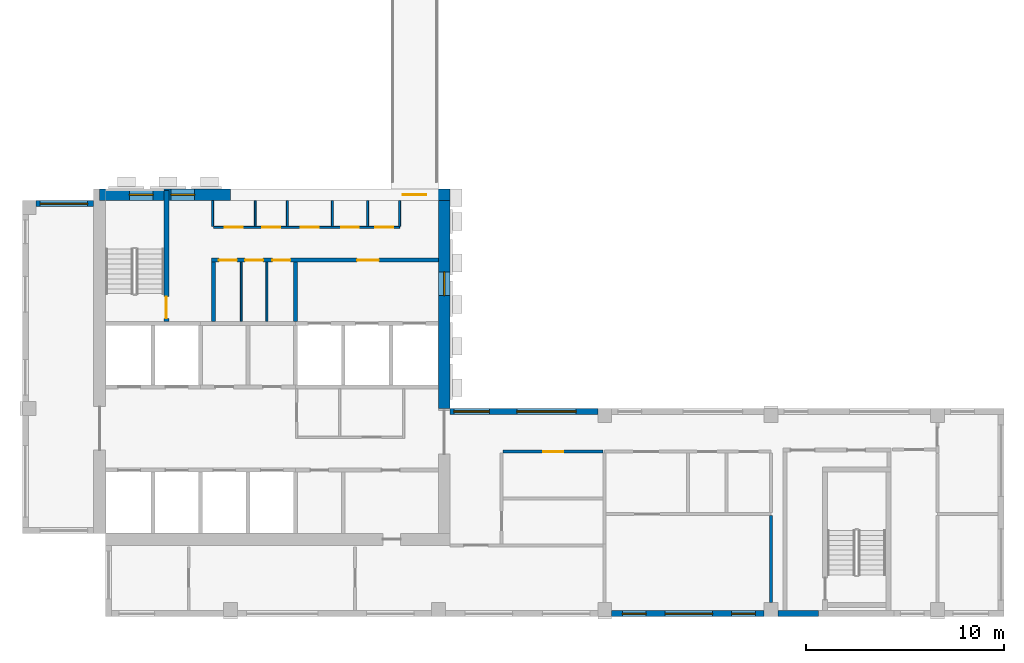
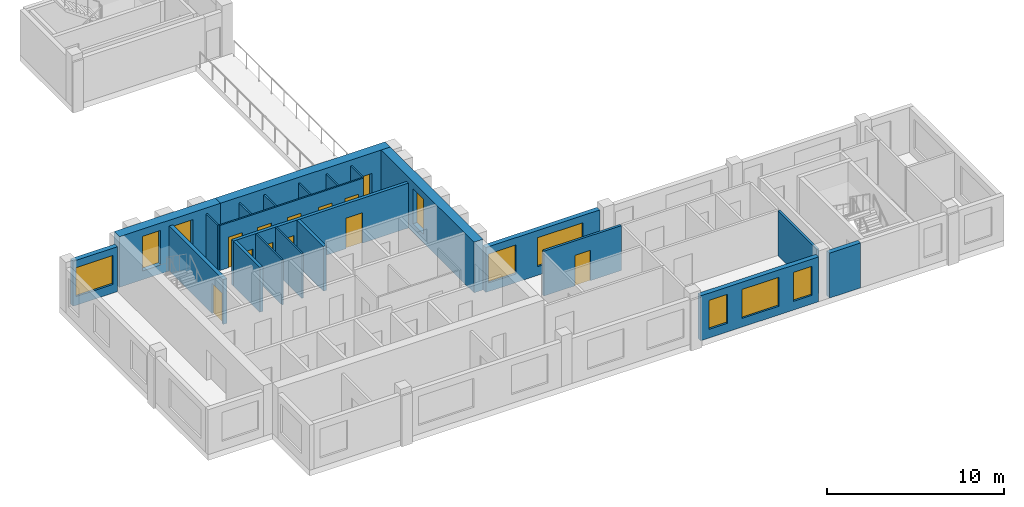
# One storey, part 3 of 9: 22 walls, 12 doors, 9 windows, 21 openings.
"""IFC4 building model written with IfcOpenShell, lengths in metres."""

import ifcopenshell
import ifcopenshell.guid

model = None  # the IFC model being written
_history = None  # IfcOwnerHistory: only IFC2X3 demands one
_inside = {}  # id of a spatial element -> (the spatial element, [elements in it])
_under = {}  # id of a project, library or spatial element -> (it, [spatial elements below it])
_declared = {}  # id of a project -> (the project, [libraries it declares])
_typed = {}  # id of a type object -> (the type object, [elements of that type])
_made_of = {}  # id of a material, layer set ... -> (it, [elements and type objects made of it])


def new_model(schema):
    """Start an empty IFC model of exactly this schema.

    Asked for "IFC4X3", IfcOpenShell would pick the latest addendum, in which some entities
    have other attributes; the version numbers below select the first issue.
    IFC2X3 requires an IfcOwnerHistory on every rooted entity: one is made here for all.
    """
    global model, _history
    if schema == "IFC4X3":
        model = ifcopenshell.file(schema_version=(4, 3, 0, 0))
    else:
        model = ifcopenshell.file(schema=schema)
    _inside.clear()
    _under.clear()
    _declared.clear()
    _typed.clear()
    _made_of.clear()
    _history = None
    if model.schema == "IFC2X3":
        org = make("IfcOrganization", Name="unknown")
        user = make(
            "IfcPersonAndOrganization",
            ThePerson=make("IfcPerson", FamilyName="unknown"),
            TheOrganization=org,
        )
        app = make(
            "IfcApplication",
            ApplicationDeveloper=org,
            Version="unknown",
            ApplicationFullName="unknown",
            ApplicationIdentifier="unknown",
        )
        _history = make(
            "IfcOwnerHistory",
            OwningUser=user,
            OwningApplication=app,
            ChangeAction="ADDED",
            CreationDate=0,
        )
    return model


def make(cls, **values):
    """One entity of the class cls with the attributes given. An attribute that is None is left unset."""
    return model.create_entity(
        cls, **{name: value for name, value in values.items() if value is not None}
    )


def rooted(cls, **values):
    """An entity with a GlobalId (a new one), such as an element, a storey or a relation."""
    return make(cls, GlobalId=ifcopenshell.guid.new(), OwnerHistory=_history, **values)


def si_unit(unit_type, name, prefix=None):
    """IfcSIUnit, for example si_unit("LENGTHUNIT", "METRE", prefix="MILLI")."""
    return make("IfcSIUnit", UnitType=unit_type, Prefix=prefix, Name=name)


def assignment(units):
    """IfcUnitAssignment: the units of a project."""
    return None if units is None else make("IfcUnitAssignment", Units=units)


def point(xyz):
    """IfcCartesianPoint."""
    return None if xyz is None else make("IfcCartesianPoint", Coordinates=xyz)


def direction(xyz):
    """IfcDirection."""
    return None if xyz is None else make("IfcDirection", DirectionRatios=xyz)


def frame(location, z_axis=None, x_axis=None):
    """IfcAxis2Placement3D, a coordinate frame: its origin and axes. An axis left out is left unset."""
    return make(
        "IfcAxis2Placement3D",
        Location=point(location),
        Axis=direction(z_axis),
        RefDirection=direction(x_axis),
    )


def frame_2d(location, x_axis=None):
    """IfcAxis2Placement2D, a coordinate frame in the plane: its origin and x axis."""
    return make(
        "IfcAxis2Placement2D", Location=point(location), RefDirection=direction(x_axis)
    )


def origin():
    """The frame at (0, 0, 0) with its axes left unset."""
    return frame((0.0, 0.0, 0.0))


def place(relative_to, where):
    """IfcLocalPlacement: puts the frame where relative to a parent placement (None: the world)."""
    return make(
        "IfcLocalPlacement", PlacementRelTo=relative_to, RelativePlacement=where
    )


def context(
    kind, dimensions, precision=None, world=None, true_north=None, identifier=None
):
    """IfcGeometricRepresentationContext, for example the 3D "Model" context."""
    return make(
        "IfcGeometricRepresentationContext",
        ContextIdentifier=identifier,
        ContextType=kind,
        CoordinateSpaceDimension=dimensions,
        Precision=precision,
        WorldCoordinateSystem=world,
        TrueNorth=true_north,
    )


def subcontext(parent, identifier, kind, view, scale=None):
    """IfcGeometricRepresentationSubContext, for example "Body" below "Model"."""
    return make(
        "IfcGeometricRepresentationSubContext",
        ContextIdentifier=identifier,
        ContextType=kind,
        ParentContext=parent,
        TargetScale=scale,
        TargetView=view,
    )


def project(units=None, contexts=None):
    """IfcProject with its units and contexts."""
    return rooted(
        "IfcProject",
        Name="project",
        RepresentationContexts=contexts,
        UnitsInContext=assignment(units),
    )


def spatial(cls, under=None, at=None, **own):
    """A site, building, storey or space (cls), placed at a placement, below another one or the project."""
    s = rooted(cls, ObjectPlacement=at, **own)
    if under is not None:
        _under.setdefault(under.id(), (under, []))[1].append(s)
    return s


def profile(cls, at=None, kind="AREA", **sizes):
    """A parametric profile (cls). Its sizes go by their IFC names, for example OverallWidth=200.0."""
    return make(cls, ProfileType=kind, Position=at, **sizes)


def rectangle(**sizes):
    """IfcRectangleProfileDef."""
    return profile("IfcRectangleProfileDef", **sizes)


def extrude(swept, where, along, depth):
    """IfcExtrudedAreaSolid: the profile swept, set in the frame where, extruded along a direction by depth."""
    return make(
        "IfcExtrudedAreaSolid",
        SweptArea=swept,
        Position=where,
        ExtrudedDirection=direction(along),
        Depth=depth,
    )


def shape(context_of_items, identifier, shape_type, items):
    """IfcShapeRepresentation: the items that make up one representation, for example the "Body"."""
    return make(
        "IfcShapeRepresentation",
        ContextOfItems=context_of_items,
        RepresentationIdentifier=identifier,
        RepresentationType=shape_type,
        Items=items,
    )


def source(mapping_origin, context_of_items, identifier, shape_type, items):
    """IfcRepresentationMap: a shape defined once, which mapped items show again and again."""
    return make(
        "IfcRepresentationMap",
        MappingOrigin=mapping_origin,
        MappedRepresentation=shape(context_of_items, identifier, shape_type, items),
    )


def transform(
    local_origin,
    x_axis=None,
    y_axis=None,
    z_axis=None,
    scale=None,
    scale2=None,
    scale3=None,
    uniform=True,
):
    """IfcCartesianTransformationOperator3D, or its non-uniform kind. x_axis, y_axis, z_axis: its Axis1, 2, 3."""
    if uniform:
        return make(
            "IfcCartesianTransformationOperator3D",
            Axis1=direction(x_axis),
            Axis2=direction(y_axis),
            LocalOrigin=point(local_origin),
            Scale=scale,
            Axis3=direction(z_axis),
        )
    return make(
        "IfcCartesianTransformationOperator3DnonUniform",
        Axis1=direction(x_axis),
        Axis2=direction(y_axis),
        LocalOrigin=point(local_origin),
        Scale=scale,
        Axis3=direction(z_axis),
        Scale2=scale2,
        Scale3=scale3,
    )


def mapped(mapping_source, mapping_target):
    """IfcMappedItem: shows the shape of a source again, moved by a transform."""
    return make(
        "IfcMappedItem", MappingSource=mapping_source, MappingTarget=mapping_target
    )


def material(Name=None, Category=None):
    """IfcMaterial."""
    return make("IfcMaterial", Name=Name, Category=Category)


def layer(
    of_material, thickness, ventilated=None, Name=None, Category=None, Priority=None
):
    """IfcMaterialLayer: one layer of a wall or slab, of a material (None: an air gap)."""
    return make(
        "IfcMaterialLayer",
        Material=of_material,
        LayerThickness=thickness,
        IsVentilated=ventilated,
        Name=Name,
        Category=Category,
        Priority=Priority,
    )


def layer_set(layers, Name=None):
    """IfcMaterialLayerSet."""
    return make("IfcMaterialLayerSet", MaterialLayers=layers, LayerSetName=Name)


def made_of(thing, what):
    """Note that an element or type object is made of a material, layer set ...; save() writes the relation."""
    if what is not None:
        _made_of.setdefault(what.id(), (what, []))[1].append(thing)
    return thing


def type_object(cls, material=None, **own):
    """A type object (cls), such as IfcWallType, which elements share."""
    return made_of(rooted(cls, **own), material)


def element(
    cls,
    number,
    at=None,
    inside=None,
    cuts=None,
    type_object=None,
    material=None,
    context=None,
    identifier="Body",
    shape_type=None,
    held_by="IfcProductDefinitionShape",
    body=None,
    shapes=None,
    **own,
):
    """One element of the class cls, such as IfcWall. Its Tag is "e" and its number.

    at: its placement. inside: the storey or other place that contains it. cuts: it is an
    opening in that element (IfcRelVoidsElement). A single representation is given by context,
    identifier, shape_type and body (its items); several are given by shapes. held_by: the class
    of the entity that holds the representations. save() writes the other relations.
    """
    e = rooted(cls, Tag="e%d" % number, ObjectPlacement=at, **own)
    if body is not None:
        shapes = [shape(context, identifier, shape_type, body)]
    if shapes is not None:
        e.Representation = make(held_by, Representations=shapes)
    if inside is not None:
        _inside.setdefault(inside.id(), (inside, []))[1].append(e)
    if cuts is not None:
        rooted(
            "IfcRelVoidsElement", RelatingBuildingElement=cuts, RelatedOpeningElement=e
        )
    if type_object is not None:
        _typed.setdefault(type_object.id(), (type_object, []))[1].append(e)
    return made_of(e, material)


def fill(opening, filler):
    """IfcRelFillsElement: the door or window that sits in an opening."""
    return rooted(
        "IfcRelFillsElement",
        RelatingOpeningElement=opening,
        RelatedBuildingElement=filler,
    )


def aggregate(whole, parts):
    """IfcRelAggregates: a whole, such as a stair, and the parts it consists of."""
    return rooted("IfcRelAggregates", RelatingObject=whole, RelatedObjects=parts)


def save(model, path):
    """Write the relations noted so far, then the file.

    IfcRelAggregates (storeys below a building ...), IfcRelContainedInSpatialStructure (elements
    in a storey), IfcRelDefinesByType, IfcRelAssociatesMaterial and IfcRelDeclares: one each for
    every whole, place, type object, material and project.
    """
    for whole, parts in _under.values():
        aggregate(whole, parts)
    for where, things in _inside.values():
        rooted(
            "IfcRelContainedInSpatialStructure",
            RelatedElements=things,
            RelatingStructure=where,
        )
    for kind, things in _typed.values():
        rooted("IfcRelDefinesByType", RelatedObjects=things, RelatingType=kind)
    for what, things in _made_of.values():
        rooted("IfcRelAssociatesMaterial", RelatedObjects=things, RelatingMaterial=what)
    for by, libraries in _declared.values():
        rooted("IfcRelDeclares", RelatingContext=by, RelatedDefinitions=libraries)
    model.write(path)


model = new_model("IFC4")

# Units and contexts
model_context = context("Model", 3, precision=1e-05, world=origin(), true_north=direction((0.0, 1.0)))
body_context = subcontext(model_context, "Body", "Model", "MODEL_VIEW")
ifc_project = project(units=[si_unit("LENGTHUNIT", "METRE"), si_unit("AREAUNIT", "SQUARE_METRE"), si_unit("VOLUMEUNIT", "CUBIC_METRE"), si_unit("PLANEANGLEUNIT", "RADIAN"), si_unit("MASSUNIT", "GRAM", prefix="KILO")], contexts=[model_context])

# Site, building, storey
site_placement = place(None, origin())
site = spatial("IfcSite", under=ifc_project, at=site_placement, CompositionType="ELEMENT")
building_placement = place(site_placement, origin())
building = spatial("IfcBuilding", under=site, at=building_placement, Name="Aurelian Terraces", CompositionType="ELEMENT")
storey_placement = place(building_placement, frame((0.0, 0.0, 316.0)))
storey = spatial("IfcBuildingStorey", under=building, at=storey_placement, Name="L73", CompositionType="ELEMENT", Elevation=316.0)

# Wall, opening, door
ifc_material_1 = material(Name="Gypsum board on steel studs", Category="steel")
ifc_layer_1 = layer(ifc_material_1, 0.15)
ifc_layer_set_1 = layer_set([ifc_layer_1], Name="Fire partition 150")
wall_type_1 = type_object("IfcWallType", Name="Fire partition 150", PredefinedType="PARTITIONING", material=ifc_layer_set_1)
wall_1_placement = place(storey_placement, frame((29.325, 8.325, 0.0), z_axis=(0.0, 0.0, 1.0), x_axis=(-1.0, 0.0, 0.0)))
wall_1 = element("IfcWall", 1, at=wall_1_placement, inside=storey, type_object=wall_type_1, Name="Corridor wall", PredefinedType="PARTITIONING", context=body_context, shape_type="SweptSolid", body=[
    extrude(rectangle(XDim=5.05, YDim=0.15, at=frame_2d((2.525, 0.0))), origin(), (0.0, 0.0, 1.0), 3.1),
])
shared_shape_1 = source(origin(), body_context, "Body", "SweptSolid", [
    extrude(rectangle(XDim=1.0, YDim=2.1, at=frame_2d((0.5, 1.05))), frame((0.0, 0.085, 0.0), z_axis=(0.0, -1.0, 0.0), x_axis=(1.0, 0.0, 0.0)), (0.0, 0.0, 1.0), 0.17),
])
opening_1_placement = place(wall_1_placement, frame((2.025, 0.0, 0.0)))
opening_1 = element("IfcOpeningElement", 2, at=opening_1_placement, cuts=wall_1, Name="Opening 773001", PredefinedType="OPENING", context=body_context, shape_type="MappedRepresentation", body=[
    mapped(shared_shape_1, transform((0.0, 0.0, 0.0), scale=1.0)),
])
ifc_material_2 = material(Name="Steel door leaf", Category="steel")
door_type_1 = type_object("IfcDoorType", Name="Entrance fire door 1000x2100 right", OperationType="SINGLE_SWING_RIGHT", PredefinedType="DOOR", material=ifc_material_2)
shared_shape_2 = source(origin(), body_context, "Body", "SweptSolid", [
    extrude(rectangle(XDim=1.0, YDim=2.1, at=frame_2d((0.5, 1.05))), frame((0.0, 0.025, 0.0), z_axis=(0.0, -1.0, 0.0), x_axis=(1.0, 0.0, 0.0)), (0.0, 0.0, 1.0), 0.05),
])
door_1_placement = place(opening_1_placement, origin())
door_1 = element("IfcDoor", 3, at=door_1_placement, inside=storey, type_object=door_type_1, Name="Door 773001", OperationType="SINGLE_SWING_RIGHT", OverallHeight=2.1, OverallWidth=1.0, PredefinedType="DOOR", context=body_context, shape_type="MappedRepresentation", body=[
    mapped(shared_shape_2, transform((0.0, 0.0, 0.0), scale=1.0)),
])
fill(opening_1, door_1)

# Wall
wall_2_placement = place(storey_placement, frame((37.8, 0.699, 0.0), z_axis=(0.0, 0.0, 1.0), x_axis=(0.0, 1.0, 0.0)))
element("IfcWall", 4, at=wall_2_placement, inside=storey, type_object=wall_type_1, Name="Party wall", PredefinedType="PARTITIONING", context=body_context, shape_type="SweptSolid", body=[
    extrude(rectangle(XDim=4.401, YDim=0.15, at=frame_2d((2.2005, 0.0))), origin(), (0.0, 0.0, 1.0), 3.1),
])

# Wall, opening, door
ifc_material_3 = material(Name="Concrete fc' 55 MPa", Category="concrete")
ifc_layer_2 = layer(ifc_material_3, 0.6)
ifc_layer_set_2 = layer_set([ifc_layer_2], Name="CORE WALL 600 FC55")
wall_type_2 = type_object("IfcWallType", Name="CORE WALL 600 FC55", PredefinedType="SHEAR", material=ifc_layer_set_2)
shared_shape_3 = source(origin(), body_context, "Body", "SweptSolid", [
    extrude(rectangle(XDim=11.1, YDim=0.6, at=frame_2d((5.55, 0.0))), origin(), (0.0, 0.0, 1.0), 3.5),
])
wall_3_placement = place(storey_placement, frame((10.5, 21.3, 0.0), z_axis=(0.0, 0.0, 1.0), x_axis=(1.0, 0.0, 0.0)))
wall_3 = element("IfcWall", 5, at=wall_3_placement, inside=storey, type_object=wall_type_2, Name="Core wall N L73", PredefinedType="SHEAR", context=body_context, shape_type="MappedRepresentation", body=[
    mapped(shared_shape_3, transform((0.0, 0.0, 0.0), scale=1.0)),
])
shared_shape_4 = source(origin(), body_context, "Body", "SweptSolid", [
    extrude(rectangle(XDim=1.2, YDim=2.1, at=frame_2d((0.6, 1.05))), frame((0.0, 0.31, 0.0), z_axis=(0.0, -1.0, 0.0), x_axis=(1.0, 0.0, 0.0)), (0.0, 0.0, 1.0), 0.62),
])
opening_2_placement = place(wall_3_placement, frame((8.7, 0.0, 0.0)))
opening_2 = element("IfcOpeningElement", 6, at=opening_2_placement, cuts=wall_3, Name="Opening 67633", PredefinedType="OPENING", context=body_context, shape_type="MappedRepresentation", body=[
    mapped(shared_shape_4, transform((0.0, 0.0, 0.0), scale=1.0)),
])
door_type_2 = type_object("IfcDoorType", Name="Core fire door 1200x2100", OperationType="SINGLE_SWING_LEFT", PredefinedType="DOOR", material=ifc_material_2)
shared_shape_5 = source(origin(), body_context, "Body", "SweptSolid", [
    extrude(rectangle(XDim=1.2, YDim=2.1, at=frame_2d((0.6, 1.05))), frame((0.0, 0.025, 0.0), z_axis=(0.0, -1.0, 0.0), x_axis=(1.0, 0.0, 0.0)), (0.0, 0.0, 1.0), 0.05),
])
door_2_placement = place(opening_2_placement, origin())
door_2 = element("IfcDoor", 7, at=door_2_placement, inside=storey, type_object=door_type_2, Name="Core door 67633", OperationType="SINGLE_SWING_LEFT", OverallHeight=2.1, OverallWidth=1.2, PredefinedType="DOOR", context=body_context, shape_type="MappedRepresentation", body=[
    mapped(shared_shape_5, transform((0.0, 0.0, 0.0), scale=1.0)),
])
fill(opening_2, door_2)

# Wall, opening, window
shared_shape_6 = source(origin(), body_context, "Body", "SweptSolid", [
    extrude(rectangle(XDim=10.5, YDim=0.6, at=frame_2d((5.25, 0.0))), origin(), (0.0, 0.0, 1.0), 3.5),
])
wall_4_placement = place(storey_placement, frame((21.3, 10.5, 0.0), z_axis=(0.0, 0.0, 1.0), x_axis=(0.0, 1.0, 0.0)))
wall_4 = element("IfcWall", 8, at=wall_4_placement, inside=storey, type_object=wall_type_2, Name="Core wall E L73 exposed", PredefinedType="SHEAR", context=body_context, shape_type="MappedRepresentation", body=[
    mapped(shared_shape_6, transform((0.0, 0.0, 0.0), scale=1.0)),
])
shared_shape_7 = source(origin(), body_context, "Body", "SweptSolid", [
    extrude(rectangle(XDim=1.2, YDim=2.4, at=frame_2d((0.6, 1.2))), frame((0.0, 0.31, 0.0), z_axis=(0.0, -1.0, 0.0), x_axis=(1.0, 0.0, 0.0)), (0.0, 0.0, 1.0), 0.62),
])
opening_3_placement = place(wall_4_placement, frame((5.7, 0.0, 0.6)))
opening_3 = element("IfcOpeningElement", 9, at=opening_3_placement, cuts=wall_4, Name="Opening W-CL", PredefinedType="OPENING", context=body_context, shape_type="MappedRepresentation", body=[
    mapped(shared_shape_7, transform((0.0, 0.0, 0.0), scale=1.0)),
])
ifc_material_4 = material(Name="Fire-resisting glazing", Category="glass")
window_type_1 = type_object("IfcWindowType", Name="Core lobby window 1200x2400", PartitioningType="SINGLE_PANEL", PredefinedType="WINDOW", material=ifc_material_4)
shared_shape_8 = source(origin(), body_context, "Body", "SweptSolid", [
    extrude(rectangle(XDim=1.2, YDim=2.4, at=frame_2d((0.6, 1.2))), frame((0.0, 0.03, 0.0), z_axis=(0.0, -1.0, 0.0), x_axis=(1.0, 0.0, 0.0)), (0.0, 0.0, 1.0), 0.06),
])
window_1_placement = place(opening_3_placement, origin())
window_1 = element("IfcWindow", 10, at=window_1_placement, inside=storey, type_object=window_type_1, Name="Lobby window L73 E28", OverallHeight=2.4, OverallWidth=1.2, PartitioningType="SINGLE_PANEL", PredefinedType="WINDOW", context=body_context, shape_type="MappedRepresentation", body=[
    mapped(shared_shape_8, transform((0.0, 0.0, 0.0), scale=1.0)),
])
fill(opening_3, window_1)

# Wall, openings, windows
shared_shape_9 = source(origin(), body_context, "Body", "SweptSolid", [
    extrude(rectangle(XDim=6.6, YDim=0.6, at=frame_2d((3.3, 0.0))), origin(), (0.0, 0.0, 1.0), 3.5),
])
wall_5_placement = place(storey_placement, frame((3.9, 21.3, 0.0), z_axis=(0.0, 0.0, 1.0), x_axis=(1.0, 0.0, 0.0)))
wall_5 = element("IfcWall", 11, at=wall_5_placement, inside=storey, type_object=wall_type_2, Name="Core wall N L73 exposed", PredefinedType="SHEAR", context=body_context, shape_type="MappedRepresentation", body=[
    mapped(shared_shape_9, transform((0.0, 0.0, 0.0), scale=1.0)),
])
opening_4_placement = place(wall_5_placement, frame((1.5, 0.0, 0.6)))
opening_4 = element("IfcOpeningElement", 12, at=opening_4_placement, cuts=wall_5, Name="Opening W-CL", PredefinedType="OPENING", context=body_context, shape_type="MappedRepresentation", body=[
    mapped(shared_shape_7, transform((0.0, 0.0, 0.0), scale=1.0)),
])
opening_5_placement = place(wall_5_placement, frame((3.6, 0.0, 0.6)))
opening_5 = element("IfcOpeningElement", 13, at=opening_5_placement, cuts=wall_5, Name="Opening W-CL", PredefinedType="OPENING", context=body_context, shape_type="MappedRepresentation", body=[
    mapped(shared_shape_7, transform((0.0, 0.0, 0.0), scale=1.0)),
])
window_2_placement = place(opening_4_placement, origin())
window_2 = element("IfcWindow", 14, at=window_2_placement, inside=storey, type_object=window_type_1, Name="Lobby window L73 N29", OverallHeight=2.4, OverallWidth=1.2, PartitioningType="SINGLE_PANEL", PredefinedType="WINDOW", context=body_context, shape_type="MappedRepresentation", body=[
    mapped(shared_shape_8, transform((0.0, 0.0, 0.0), scale=1.0)),
])
fill(opening_4, window_2)
window_3_placement = place(opening_5_placement, origin())
window_3 = element("IfcWindow", 15, at=window_3_placement, inside=storey, type_object=window_type_1, Name="Lobby window L73 N30", OverallHeight=2.4, OverallWidth=1.2, PartitioningType="SINGLE_PANEL", PredefinedType="WINDOW", context=body_context, shape_type="MappedRepresentation", body=[
    mapped(shared_shape_8, transform((0.0, 0.0, 0.0), scale=1.0)),
])
fill(opening_5, window_3)

ifc_material_5 = material(Name="Terracotta rainscreen cladding", Category="masonry")
ifc_layer_3 = layer(ifc_material_5, 0.3)
ifc_layer_set_3 = layer_set([ifc_layer_3], Name="EW-300")
wall_type_3 = type_object("IfcWallType", Name="EW-300", PredefinedType="STANDARD", material=ifc_layer_set_3)
shared_shape_10 = source(origin(), body_context, "Body", "SweptSolid", [
    extrude(rectangle(XDim=7.7, YDim=0.3, at=frame_2d((3.85, 0.0))), origin(), (0.0, 0.0, 1.0), 3.1),
])
wall_6_placement = place(storey_placement, frame((29.75, 0.15, 0.0), z_axis=(0.0, 0.0, 1.0), x_axis=(1.0, 0.0, 0.0)))
wall_6 = element("IfcWall", 16, at=wall_6_placement, inside=storey, type_object=wall_type_3, Name="External wall L73 F01.4", PredefinedType="STANDARD", context=body_context, shape_type="MappedRepresentation", body=[
    mapped(shared_shape_10, transform((0.0, 0.0, 0.0), scale=1.0)),
])
shared_shape_11 = source(origin(), body_context, "Body", "SweptSolid", [
    extrude(rectangle(XDim=1.2, YDim=2.0, at=frame_2d((0.6, 1.0))), frame((0.0, 0.16, 0.0), z_axis=(0.0, -1.0, 0.0), x_axis=(1.0, 0.0, 0.0)), (0.0, 0.0, 1.0), 0.32),
])
opening_6_placement = place(wall_6_placement, frame((0.5375, 0.0, 0.6)))
opening_6 = element("IfcOpeningElement", 17, at=opening_6_placement, cuts=wall_6, Name="Opening W1220", PredefinedType="OPENING", context=body_context, shape_type="MappedRepresentation", body=[
    mapped(shared_shape_11, transform((0.0, 0.0, 0.0), scale=1.0)),
])
opening_7_placement = place(wall_6_placement, frame((6.0625, 0.0, 0.6)))
opening_7 = element("IfcOpeningElement", 18, at=opening_7_placement, cuts=wall_6, Name="Opening W1220", PredefinedType="OPENING", context=body_context, shape_type="MappedRepresentation", body=[
    mapped(shared_shape_11, transform((0.0, 0.0, 0.0), scale=1.0)),
])
shared_shape_12 = source(origin(), body_context, "Body", "SweptSolid", [
    extrude(rectangle(XDim=2.4, YDim=2.0, at=frame_2d((1.2, 1.0))), frame((0.0, 0.16, 0.0), z_axis=(0.0, -1.0, 0.0), x_axis=(1.0, 0.0, 0.0)), (0.0, 0.0, 1.0), 0.32),
])
opening_8_placement = place(wall_6_placement, frame((2.7, 0.0, 0.6)))
opening_8 = element("IfcOpeningElement", 19, at=opening_8_placement, cuts=wall_6, Name="Opening W2420", PredefinedType="OPENING", context=body_context, shape_type="MappedRepresentation", body=[
    mapped(shared_shape_12, transform((0.0, 0.0, 0.0), scale=1.0)),
])
ifc_material_6 = material(Name="Clear glazing", Category="glass")
window_type_2 = type_object("IfcWindowType", Name="W-1200x2000", PartitioningType="SINGLE_PANEL", PredefinedType="WINDOW", material=ifc_material_6)
shared_shape_13 = source(origin(), body_context, "Body", "SweptSolid", [
    extrude(rectangle(XDim=1.2, YDim=2.0, at=frame_2d((0.6, 1.0))), frame((0.0, 0.03, 0.0), z_axis=(0.0, -1.0, 0.0), x_axis=(1.0, 0.0, 0.0)), (0.0, 0.0, 1.0), 0.06),
])
window_4_placement = place(opening_6_placement, origin())
window_4 = element("IfcWindow", 20, at=window_4_placement, inside=storey, type_object=window_type_2, Name="Window L73 L73-F01-04-0", OverallHeight=2.0, OverallWidth=1.2, PartitioningType="SINGLE_PANEL", PredefinedType="WINDOW", context=body_context, shape_type="MappedRepresentation", body=[
    mapped(shared_shape_13, transform((0.0, 0.0, 0.0), scale=1.0)),
])
fill(opening_6, window_4)
window_5_placement = place(opening_7_placement, origin())
window_5 = element("IfcWindow", 21, at=window_5_placement, inside=storey, type_object=window_type_2, Name="Window L73 L73-F01-04-1", OverallHeight=2.0, OverallWidth=1.2, PartitioningType="SINGLE_PANEL", PredefinedType="WINDOW", context=body_context, shape_type="MappedRepresentation", body=[
    mapped(shared_shape_13, transform((0.0, 0.0, 0.0), scale=1.0)),
])
fill(opening_7, window_5)
window_type_3 = type_object("IfcWindowType", Name="W-2400x2000", PartitioningType="SINGLE_PANEL", PredefinedType="WINDOW", material=ifc_material_6)
shared_shape_14 = source(origin(), body_context, "Body", "SweptSolid", [
    extrude(rectangle(XDim=2.4, YDim=2.0, at=frame_2d((1.2, 1.0))), frame((0.0, 0.03, 0.0), z_axis=(0.0, -1.0, 0.0), x_axis=(1.0, 0.0, 0.0)), (0.0, 0.0, 1.0), 0.06),
])
window_6_placement = place(opening_8_placement, origin())
window_6 = element("IfcWindow", 22, at=window_6_placement, inside=storey, type_object=window_type_3, Name="Window L73 L73-F01-04-G0-21", OverallHeight=2.0, OverallWidth=2.4, PartitioningType="SINGLE_PANEL", PredefinedType="WINDOW", context=body_context, shape_type="MappedRepresentation", body=[
    mapped(shared_shape_14, transform((0.0, 0.0, 0.0), scale=1.0)),
])
fill(opening_8, window_6)

shared_shape_15 = source(origin(), body_context, "Body", "SweptSolid", [
    extrude(rectangle(XDim=7.45, YDim=0.3, at=frame_2d((3.725, 0.0))), origin(), (0.0, 0.0, 1.0), 3.1),
])
wall_7_placement = place(storey_placement, frame((29.05, 10.35, 0.0), z_axis=(0.0, 0.0, 1.0), x_axis=(-1.0, 0.0, 0.0)))
wall_7 = element("IfcWall", 23, at=wall_7_placement, inside=storey, type_object=wall_type_3, Name="External wall L73 F03.8", PredefinedType="STANDARD", context=body_context, shape_type="MappedRepresentation", body=[
    mapped(shared_shape_15, transform((0.0, 0.0, 0.0), scale=1.0)),
])
shared_shape_16 = source(origin(), body_context, "Body", "SweptSolid", [
    extrude(rectangle(XDim=3.0, YDim=2.0, at=frame_2d((1.5, 1.0))), frame((0.0, 0.16, 0.0), z_axis=(0.0, -1.0, 0.0), x_axis=(1.0, 0.0, 0.0)), (0.0, 0.0, 1.0), 0.32),
])
opening_9_placement = place(wall_7_placement, frame((1.09, 0.0, 0.6)))
opening_9 = element("IfcOpeningElement", 24, at=opening_9_placement, cuts=wall_7, Name="Opening W3020", PredefinedType="OPENING", context=body_context, shape_type="MappedRepresentation", body=[
    mapped(shared_shape_16, transform((0.0, 0.0, 0.0), scale=1.0)),
])
shared_shape_17 = source(origin(), body_context, "Body", "SweptSolid", [
    extrude(rectangle(XDim=1.8, YDim=2.0, at=frame_2d((0.9, 1.0))), frame((0.0, 0.16, 0.0), z_axis=(0.0, -1.0, 0.0), x_axis=(1.0, 0.0, 0.0)), (0.0, 0.0, 1.0), 0.32),
])
opening_10_placement = place(wall_7_placement, frame((5.47, 0.0, 0.6)))
opening_10 = element("IfcOpeningElement", 25, at=opening_10_placement, cuts=wall_7, Name="Opening W1820", PredefinedType="OPENING", context=body_context, shape_type="MappedRepresentation", body=[
    mapped(shared_shape_17, transform((0.0, 0.0, 0.0), scale=1.0)),
])
window_type_4 = type_object("IfcWindowType", Name="W-3000x2000", PartitioningType="SINGLE_PANEL", PredefinedType="WINDOW", material=ifc_material_6)
shared_shape_18 = source(origin(), body_context, "Body", "SweptSolid", [
    extrude(rectangle(XDim=3.0, YDim=2.0, at=frame_2d((1.5, 1.0))), frame((0.0, 0.03, 0.0), z_axis=(0.0, -1.0, 0.0), x_axis=(1.0, 0.0, 0.0)), (0.0, 0.0, 1.0), 0.06),
])
window_7_placement = place(opening_9_placement, origin())
window_7 = element("IfcWindow", 26, at=window_7_placement, inside=storey, type_object=window_type_4, Name="Window L73 L73-F03-08-5", OverallHeight=2.0, OverallWidth=3.0, PartitioningType="SINGLE_PANEL", PredefinedType="WINDOW", context=body_context, shape_type="MappedRepresentation", body=[
    mapped(shared_shape_18, transform((0.0, 0.0, 0.0), scale=1.0)),
])
fill(opening_9, window_7)
window_type_5 = type_object("IfcWindowType", Name="W-1800x2000", PartitioningType="SINGLE_PANEL", PredefinedType="WINDOW", material=ifc_material_6)
shared_shape_19 = source(origin(), body_context, "Body", "SweptSolid", [
    extrude(rectangle(XDim=1.8, YDim=2.0, at=frame_2d((0.9, 1.0))), frame((0.0, 0.03, 0.0), z_axis=(0.0, -1.0, 0.0), x_axis=(1.0, 0.0, 0.0)), (0.0, 0.0, 1.0), 0.06),
])
window_8_placement = place(opening_10_placement, origin())
window_8 = element("IfcWindow", 27, at=window_8_placement, inside=storey, type_object=window_type_5, Name="Window L73 L73-F03-08-6", OverallHeight=2.0, OverallWidth=1.8, PartitioningType="SINGLE_PANEL", PredefinedType="WINDOW", context=body_context, shape_type="MappedRepresentation", body=[
    mapped(shared_shape_19, transform((0.0, 0.0, 0.0), scale=1.0)),
])
fill(opening_10, window_8)

# Wall
shared_shape_20 = source(origin(), body_context, "Body", "SweptSolid", [
    extrude(rectangle(XDim=2.05, YDim=0.3, at=frame_2d((1.025, 0.0))), origin(), (0.0, 0.0, 1.0), 3.1),
])
wall_8_placement = place(storey_placement, frame((38.15, 0.15, 0.0), z_axis=(0.0, 0.0, 1.0), x_axis=(1.0, 0.0, 0.0)))
element("IfcWall", 28, at=wall_8_placement, inside=storey, type_object=wall_type_3, Name="External wall L73 F01.5", PredefinedType="STANDARD", context=body_context, shape_type="MappedRepresentation", body=[
    mapped(shared_shape_20, transform((0.0, 0.0, 0.0), scale=1.0)),
])

# Wall, opening, window
shared_shape_21 = source(origin(), body_context, "Body", "SweptSolid", [
    extrude(rectangle(XDim=2.9, YDim=0.3, at=frame_2d((1.45, 0.0))), origin(), (0.0, 0.0, 1.0), 3.1),
])
wall_9_placement = place(storey_placement, frame((3.6, 20.85, 0.0), z_axis=(0.0, 0.0, 1.0), x_axis=(-1.0, 0.0, 0.0)))
wall_9 = element("IfcWall", 29, at=wall_9_placement, inside=storey, type_object=wall_type_3, Name="External wall L73 F11.17", PredefinedType="STANDARD", context=body_context, shape_type="MappedRepresentation", body=[
    mapped(shared_shape_21, transform((0.0, 0.0, 0.0), scale=1.0)),
])
opening_11_placement = place(wall_9_placement, frame((0.3, 0.0, 0.6)))
opening_11 = element("IfcOpeningElement", 30, at=opening_11_placement, cuts=wall_9, Name="Opening W2420", PredefinedType="OPENING", context=body_context, shape_type="MappedRepresentation", body=[
    mapped(shared_shape_12, transform((0.0, 0.0, 0.0), scale=1.0)),
])
window_9_placement = place(opening_11_placement, origin())
window_9 = element("IfcWindow", 31, at=window_9_placement, inside=storey, type_object=window_type_3, Name="Window L73 L73-F11-17-0", OverallHeight=2.0, OverallWidth=2.4, PartitioningType="SINGLE_PANEL", PredefinedType="WINDOW", context=body_context, shape_type="MappedRepresentation", body=[
    mapped(shared_shape_14, transform((0.0, 0.0, 0.0), scale=1.0)),
])
fill(opening_11, window_9)

# Walls
ifc_layer_4 = layer(ifc_material_1, 0.2)
ifc_layer_set_4 = layer_set([ifc_layer_4], Name="Core partition 200")
wall_type_4 = type_object("IfcWallType", Name="Core partition 200", PredefinedType="PARTITIONING", material=ifc_layer_set_4)
shared_shape_22 = source(origin(), body_context, "Body", "SweptSolid", [
    extrude(rectangle(XDim=3.0, YDim=0.2, at=frame_2d((1.5, 0.0))), origin(), (0.0, 0.0, 1.0), 3.1),
])
for number, where, z_axis, x_axis, name in (
    (32, (9.65, 14.9, 0.0), (0.0, 0.0, 1.0), (0.0, 1.0, 0.0), "L73 core wall CP-VEST"),
    (33, (13.8, 14.9, 0.0), (0.0, 0.0, 1.0), (0.0, 1.0, 0.0), "L73 core wall CP-FFL"),
):
    element("IfcWall", number, at=place(storey_placement, frame(where, z_axis=z_axis, x_axis=x_axis)), inside=storey, type_object=wall_type_4, Name=name, PredefinedType="PARTITIONING", context=body_context, shape_type="MappedRepresentation", body=[
        mapped(shared_shape_22, transform((0.0, 0.0, 0.0), scale=1.0)),
    ])

# Wall, opening, door
ifc_material_7 = material(Name="Concrete fc' 40 MPa", Category="concrete")
ifc_layer_5 = layer(ifc_material_7, 0.25)
ifc_layer_set_5 = layer_set([ifc_layer_5], Name="Stair enclosure wall 250")
wall_type_5 = type_object("IfcWallType", Name="Stair enclosure wall 250", PredefinedType="SOLIDWALL", material=ifc_layer_set_5)
shared_shape_23 = source(origin(), body_context, "Body", "SweptSolid", [
    extrude(rectangle(XDim=6.6, YDim=0.25, at=frame_2d((3.3, 0.0))), origin(), (0.0, 0.0, 1.0), 3.1),
])
wall_10_placement = place(storey_placement, frame((7.275, 14.9, 0.0), z_axis=(0.0, 0.0, 1.0), x_axis=(0.0, 1.0, 0.0)))
wall_10 = element("IfcWall", 34, at=wall_10_placement, inside=storey, type_object=wall_type_5, Name="L73 core wall ST-S1-E", PredefinedType="SOLIDWALL", context=body_context, shape_type="MappedRepresentation", body=[
    mapped(shared_shape_23, transform((0.0, 0.0, 0.0), scale=1.0)),
])
shared_shape_24 = source(origin(), body_context, "Body", "SweptSolid", [
    extrude(rectangle(XDim=1.1, YDim=2.1, at=frame_2d((0.55, 1.05))), frame((0.0, 0.135, 0.0), z_axis=(0.0, -1.0, 0.0), x_axis=(1.0, 0.0, 0.0)), (0.0, 0.0, 1.0), 0.27),
])
opening_12_placement = place(wall_10_placement, frame((0.15, 0.0, 0.0)))
opening_12 = element("IfcOpeningElement", 35, at=opening_12_placement, cuts=wall_10, Name="Opening 67613", PredefinedType="OPENING", context=body_context, shape_type="MappedRepresentation", body=[
    mapped(shared_shape_24, transform((0.0, 0.0, 0.0), scale=1.0)),
])
door_type_3 = type_object("IfcDoorType", Name="Core fire door 1100x2100 right", OperationType="SINGLE_SWING_RIGHT", PredefinedType="DOOR", material=ifc_material_2)
shared_shape_25 = source(origin(), body_context, "Body", "SweptSolid", [
    extrude(rectangle(XDim=1.1, YDim=2.1, at=frame_2d((0.55, 1.05))), frame((0.0, 0.025, 0.0), z_axis=(0.0, -1.0, 0.0), x_axis=(1.0, 0.0, 0.0)), (0.0, 0.0, 1.0), 0.05),
])
door_3_placement = place(opening_12_placement, origin())
door_3 = element("IfcDoor", 36, at=door_3_placement, inside=storey, type_object=door_type_3, Name="Stair door 67613", OperationType="SINGLE_SWING_RIGHT", OverallHeight=2.1, OverallWidth=1.1, PredefinedType="DOOR", context=body_context, shape_type="MappedRepresentation", body=[
    mapped(shared_shape_25, transform((0.0, 0.0, 0.0), scale=1.0)),
])
fill(opening_12, door_3)

# Wall, openings, doors
shared_shape_26 = source(origin(), body_context, "Body", "SweptSolid", [
    extrude(rectangle(XDim=11.45, YDim=0.2, at=frame_2d((5.725, 0.0))), origin(), (0.0, 0.0, 1.0), 3.1),
])
wall_11_placement = place(storey_placement, frame((9.55, 18.0, 0.0), z_axis=(0.0, 0.0, 1.0), x_axis=(1.0, 0.0, 0.0)))
wall_11 = element("IfcWall", 37, at=wall_11_placement, inside=storey, type_object=wall_type_4, Name="L73 core wall CP-NORTH", PredefinedType="PARTITIONING", context=body_context, shape_type="MappedRepresentation", body=[
    mapped(shared_shape_26, transform((0.0, 0.0, 0.0), scale=1.0)),
])
shared_shape_27 = source(origin(), body_context, "Body", "SweptSolid", [
    extrude(rectangle(XDim=0.9, YDim=2.1, at=frame_2d((0.45, 1.05))), frame((0.0, 0.11, 0.0), z_axis=(0.0, -1.0, 0.0), x_axis=(1.0, 0.0, 0.0)), (0.0, 0.0, 1.0), 0.22),
])
opening_13_placement = place(wall_11_placement, frame((0.375, 0.0, 0.0)))
opening_13 = element("IfcOpeningElement", 38, at=opening_13_placement, cuts=wall_11, Name="Opening 67614", PredefinedType="OPENING", context=body_context, shape_type="MappedRepresentation", body=[
    mapped(shared_shape_27, transform((0.0, 0.0, 0.0), scale=1.0)),
])
opening_14_placement = place(wall_11_placement, frame((1.7, 0.0, 0.0)))
opening_14 = element("IfcOpeningElement", 39, at=opening_14_placement, cuts=wall_11, Name="Opening 67615", PredefinedType="OPENING", context=body_context, shape_type="MappedRepresentation", body=[
    mapped(shared_shape_27, transform((0.0, 0.0, 0.0), scale=1.0)),
])
opening_15_placement = place(wall_11_placement, frame((3.075, 0.0, 0.0)))
opening_15 = element("IfcOpeningElement", 40, at=opening_15_placement, cuts=wall_11, Name="Opening 67616", PredefinedType="OPENING", context=body_context, shape_type="MappedRepresentation", body=[
    mapped(shared_shape_27, transform((0.0, 0.0, 0.0), scale=1.0)),
])
shared_shape_28 = source(origin(), body_context, "Body", "SweptSolid", [
    extrude(rectangle(XDim=1.1, YDim=2.1, at=frame_2d((0.55, 1.05))), frame((0.0, 0.11, 0.0), z_axis=(0.0, -1.0, 0.0), x_axis=(1.0, 0.0, 0.0)), (0.0, 0.0, 1.0), 0.22),
])
opening_16_placement = place(wall_11_placement, frame((7.35, 0.0, 0.0)))
opening_16 = element("IfcOpeningElement", 41, at=opening_16_placement, cuts=wall_11, Name="Opening 67617", PredefinedType="OPENING", context=body_context, shape_type="MappedRepresentation", body=[
    mapped(shared_shape_28, transform((0.0, 0.0, 0.0), scale=1.0)),
])
door_type_4 = type_object("IfcDoorType", Name="Core riser door 900x2100", OperationType="SINGLE_SWING_LEFT", PredefinedType="DOOR", material=ifc_material_2)
shared_shape_29 = source(origin(), body_context, "Body", "SweptSolid", [
    extrude(rectangle(XDim=0.9, YDim=2.1, at=frame_2d((0.45, 1.05))), frame((0.0, 0.025, 0.0), z_axis=(0.0, -1.0, 0.0), x_axis=(1.0, 0.0, 0.0)), (0.0, 0.0, 1.0), 0.05),
])
door_4_placement = place(opening_13_placement, origin())
door_4 = element("IfcDoor", 42, at=door_4_placement, inside=storey, type_object=door_type_4, Name="Room door 67614", OperationType="SINGLE_SWING_LEFT", OverallHeight=2.1, OverallWidth=0.9, PredefinedType="DOOR", context=body_context, shape_type="MappedRepresentation", body=[
    mapped(shared_shape_29, transform((0.0, 0.0, 0.0), scale=1.0)),
])
fill(opening_13, door_4)
door_type_5 = type_object("IfcDoorType", Name="Core service door 900x2100 right", OperationType="SINGLE_SWING_RIGHT", PredefinedType="DOOR", material=ifc_material_2)
door_5_placement = place(opening_14_placement, origin())
door_5 = element("IfcDoor", 43, at=door_5_placement, inside=storey, type_object=door_type_5, Name="Room door 67615", OperationType="SINGLE_SWING_RIGHT", OverallHeight=2.1, OverallWidth=0.9, PredefinedType="DOOR", context=body_context, shape_type="MappedRepresentation", body=[
    mapped(shared_shape_29, transform((0.0, 0.0, 0.0), scale=1.0)),
])
fill(opening_14, door_5)
door_type_6 = type_object("IfcDoorType", Name="Core service door 900x2100", OperationType="SINGLE_SWING_LEFT", PredefinedType="DOOR", material=ifc_material_2)
door_6_placement = place(opening_15_placement, origin())
door_6 = element("IfcDoor", 44, at=door_6_placement, inside=storey, type_object=door_type_6, Name="Room door 67616", OperationType="SINGLE_SWING_LEFT", OverallHeight=2.1, OverallWidth=0.9, PredefinedType="DOOR", context=body_context, shape_type="MappedRepresentation", body=[
    mapped(shared_shape_29, transform((0.0, 0.0, 0.0), scale=1.0)),
])
fill(opening_15, door_6)
door_7_placement = place(opening_16_placement, origin())
door_7 = element("IfcDoor", 45, at=door_7_placement, inside=storey, type_object=door_type_3, Name="Ff lobby door 67617", OperationType="SINGLE_SWING_RIGHT", OverallHeight=2.1, OverallWidth=1.1, PredefinedType="DOOR", context=body_context, shape_type="MappedRepresentation", body=[
    mapped(shared_shape_25, transform((0.0, 0.0, 0.0), scale=1.0)),
])
fill(opening_16, door_7)

# Walls
ifc_layer_6 = layer(ifc_material_1, 0.1)
ifc_layer_set_6 = layer_set([ifc_layer_6], Name="Core partition 100")
wall_type_6 = type_object("IfcWallType", Name="Core partition 100", PredefinedType="PARTITIONING", material=ifc_layer_set_6)
shared_shape_30 = source(origin(), body_context, "Body", "SweptSolid", [
    extrude(rectangle(XDim=3.0, YDim=0.1, at=frame_2d((1.5, 0.0))), origin(), (0.0, 0.0, 1.0), 3.1),
])
for number, where, z_axis, x_axis, name in (
    (46, (11.05, 14.9, 0.0), (0.0, 0.0, 1.0), (0.0, 1.0, 0.0), "L73 core wall CP-SV1"),
    (47, (12.35, 14.9, 0.0), (0.0, 0.0, 1.0), (0.0, 1.0, 0.0), "L73 core wall CP-SV2"),
):
    element("IfcWall", number, at=place(storey_placement, frame(where, z_axis=z_axis, x_axis=x_axis)), inside=storey, type_object=wall_type_6, Name=name, PredefinedType="PARTITIONING", context=body_context, shape_type="MappedRepresentation", body=[
        mapped(shared_shape_30, transform((0.0, 0.0, 0.0), scale=1.0)),
    ])
shared_shape_31 = source(origin(), body_context, "Body", "SweptSolid", [
    extrude(rectangle(XDim=1.3, YDim=0.1, at=frame_2d((0.65, 0.0))), origin(), (0.0, 0.0, 1.0), 3.1),
])
for number, where, z_axis, x_axis, name in (
    (48, (11.7569, 19.7, 0.0), (0.0, 0.0, 1.0), (0.0, 1.0, 0.0), "L73 core wall SV-NP1"),
    (49, (13.3776, 19.7, 0.0), (0.0, 0.0, 1.0), (0.0, 1.0, 0.0), "L73 core wall SV-NP2"),
    (50, (15.6466, 19.7, 0.0), (0.0, 0.0, 1.0), (0.0, 1.0, 0.0), "L73 core wall SV-NP3"),
    (51, (17.4293, 19.7, 0.0), (0.0, 0.0, 1.0), (0.0, 1.0, 0.0), "L73 core wall SV-NP4"),
    (52, (9.6, 19.7, 0.0), (0.0, 0.0, 1.0), (0.0, 1.0, 0.0), "L73 core wall SV-NW0"),
    (53, (19.05, 19.7, 0.0), (0.0, 0.0, 1.0), (0.0, 1.0, 0.0), "L73 core wall SV-NW1"),
):
    element("IfcWall", number, at=place(storey_placement, frame(where, z_axis=z_axis, x_axis=x_axis)), inside=storey, type_object=wall_type_6, Name=name, PredefinedType="PARTITIONING", context=body_context, shape_type="MappedRepresentation", body=[
        mapped(shared_shape_31, transform((0.0, 0.0, 0.0), scale=1.0)),
    ])

# Wall, openings, doors
shared_shape_32 = source(origin(), body_context, "Body", "SweptSolid", [
    extrude(rectangle(XDim=9.4, YDim=0.1, at=frame_2d((4.7, 0.0))), origin(), (0.0, 0.0, 1.0), 3.1),
])
wall_12_placement = place(storey_placement, frame((9.65, 19.65, 0.0), z_axis=(0.0, 0.0, 1.0), x_axis=(1.0, 0.0, 0.0)))
wall_12 = element("IfcWall", 54, at=wall_12_placement, inside=storey, type_object=wall_type_6, Name="L73 core wall SV-N1", PredefinedType="PARTITIONING", context=body_context, shape_type="MappedRepresentation", body=[
    mapped(shared_shape_32, transform((0.0, 0.0, 0.0), scale=1.0)),
])
shared_shape_33 = source(origin(), body_context, "Body", "SweptSolid", [
    extrude(rectangle(XDim=0.9, YDim=2.1, at=frame_2d((0.45, 1.05))), frame((0.0, 0.06, 0.0), z_axis=(0.0, -1.0, 0.0), x_axis=(1.0, 0.0, 0.0)), (0.0, 0.0, 1.0), 0.12),
])
opening_17_placement = place(wall_12_placement, frame((0.5784, 0.0, 0.0)))
opening_17 = element("IfcOpeningElement", 55, at=opening_17_placement, cuts=wall_12, Name="Opening 67618", PredefinedType="OPENING", context=body_context, shape_type="MappedRepresentation", body=[
    mapped(shared_shape_33, transform((0.0, 0.0, 0.0), scale=1.0)),
])
opening_18_placement = place(wall_12_placement, frame((2.4673, 0.0, 0.0)))
opening_18 = element("IfcOpeningElement", 56, at=opening_18_placement, cuts=wall_12, Name="Opening 67619", PredefinedType="OPENING", context=body_context, shape_type="MappedRepresentation", body=[
    mapped(shared_shape_33, transform((0.0, 0.0, 0.0), scale=1.0)),
])
opening_19_placement = place(wall_12_placement, frame((4.4121, 0.0, 0.0)))
opening_19 = element("IfcOpeningElement", 57, at=opening_19_placement, cuts=wall_12, Name="Opening 67620", PredefinedType="OPENING", context=body_context, shape_type="MappedRepresentation", body=[
    mapped(shared_shape_33, transform((0.0, 0.0, 0.0), scale=1.0)),
])
opening_20_placement = place(wall_12_placement, frame((6.438, 0.0, 0.0)))
opening_20 = element("IfcOpeningElement", 58, at=opening_20_placement, cuts=wall_12, Name="Opening 67621", PredefinedType="OPENING", context=body_context, shape_type="MappedRepresentation", body=[
    mapped(shared_shape_33, transform((0.0, 0.0, 0.0), scale=1.0)),
])
opening_21_placement = place(wall_12_placement, frame((8.1646, 0.0, 0.0)))
opening_21 = element("IfcOpeningElement", 59, at=opening_21_placement, cuts=wall_12, Name="Opening 67622", PredefinedType="OPENING", context=body_context, shape_type="MappedRepresentation", body=[
    mapped(shared_shape_33, transform((0.0, 0.0, 0.0), scale=1.0)),
])
door_8_placement = place(opening_17_placement, origin())
door_8 = element("IfcDoor", 60, at=door_8_placement, inside=storey, type_object=door_type_6, Name="Room door 67618", OperationType="SINGLE_SWING_LEFT", OverallHeight=2.1, OverallWidth=0.9, PredefinedType="DOOR", context=body_context, shape_type="MappedRepresentation", body=[
    mapped(shared_shape_29, transform((0.0, 0.0, 0.0), scale=1.0)),
])
fill(opening_17, door_8)
door_9_placement = place(opening_18_placement, origin())
door_9 = element("IfcDoor", 61, at=door_9_placement, inside=storey, type_object=door_type_5, Name="Room door 67619", OperationType="SINGLE_SWING_RIGHT", OverallHeight=2.1, OverallWidth=0.9, PredefinedType="DOOR", context=body_context, shape_type="MappedRepresentation", body=[
    mapped(shared_shape_29, transform((0.0, 0.0, 0.0), scale=1.0)),
])
fill(opening_18, door_9)
door_10_placement = place(opening_19_placement, origin())
door_10 = element("IfcDoor", 62, at=door_10_placement, inside=storey, type_object=door_type_6, Name="Room door 67620", OperationType="SINGLE_SWING_LEFT", OverallHeight=2.1, OverallWidth=0.9, PredefinedType="DOOR", context=body_context, shape_type="MappedRepresentation", body=[
    mapped(shared_shape_29, transform((0.0, 0.0, 0.0), scale=1.0)),
])
fill(opening_19, door_10)
door_11_placement = place(opening_20_placement, origin())
door_11 = element("IfcDoor", 63, at=door_11_placement, inside=storey, type_object=door_type_5, Name="Room door 67621", OperationType="SINGLE_SWING_RIGHT", OverallHeight=2.1, OverallWidth=0.9, PredefinedType="DOOR", context=body_context, shape_type="MappedRepresentation", body=[
    mapped(shared_shape_29, transform((0.0, 0.0, 0.0), scale=1.0)),
])
fill(opening_20, door_11)
door_12_placement = place(opening_21_placement, origin())
door_12 = element("IfcDoor", 64, at=door_12_placement, inside=storey, type_object=door_type_6, Name="Room door 67622", OperationType="SINGLE_SWING_LEFT", OverallHeight=2.1, OverallWidth=0.9, PredefinedType="DOOR", context=body_context, shape_type="MappedRepresentation", body=[
    mapped(shared_shape_29, transform((0.0, 0.0, 0.0), scale=1.0)),
])
fill(opening_21, door_12)

save(model, "model.ifc")
